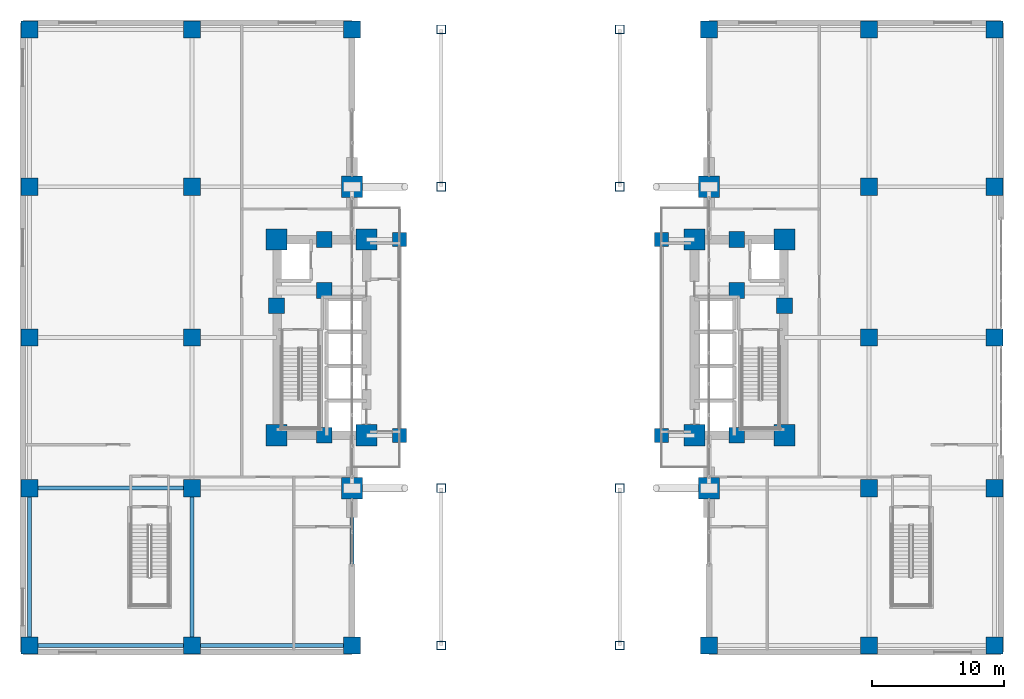
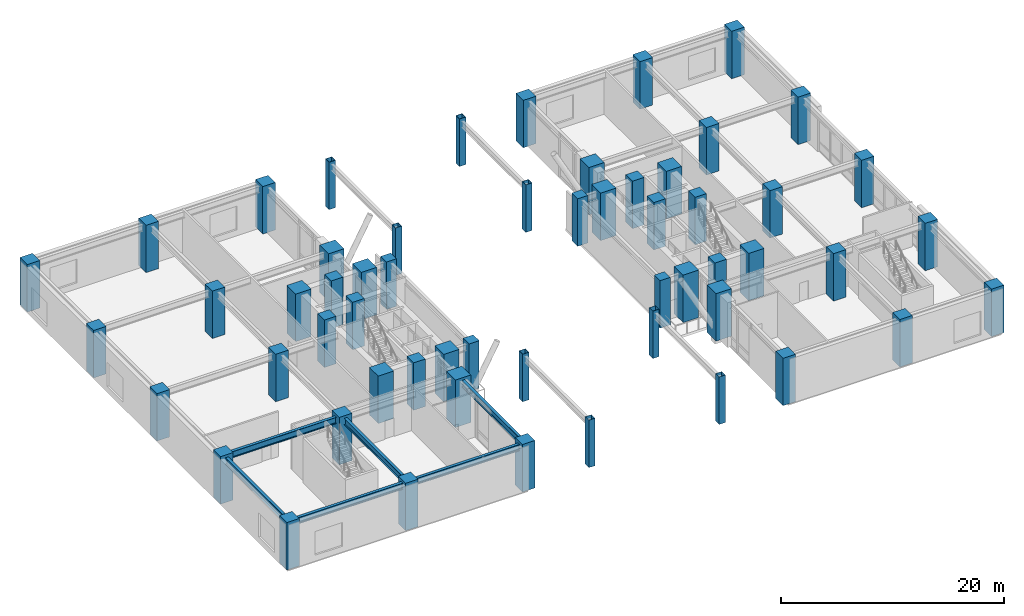
# One storey, part 1 of 27: 56 columns, 6 beams.
"""IFC4 building model written with IfcOpenShell, lengths in metres."""

from ifc_helpers import new_model, si_unit, direction, frame, origin, origin_2d, place, context, subcontext, project, spatial, rectangle, hollow_rectangle, i_section, extrude, material, material_profile, profile_set, type_object, element, save


model = new_model("IFC4")

# Units and contexts
model_context = context("Model", 3, precision=1e-05, world=origin(), true_north=direction((0.0, 1.0)))
body_context = subcontext(model_context, "Body", "Model", "MODEL_VIEW")
ifc_project = project(units=[si_unit("LENGTHUNIT", "METRE"), si_unit("AREAUNIT", "SQUARE_METRE"), si_unit("VOLUMEUNIT", "CUBIC_METRE"), si_unit("PLANEANGLEUNIT", "RADIAN"), si_unit("MASSUNIT", "GRAM", prefix="KILO")], contexts=[model_context])

# Site, building, storey
site_placement = place(None, origin())
site = spatial("IfcSite", under=ifc_project, at=site_placement, CompositionType="ELEMENT")
building_placement = place(site_placement, origin())
building = spatial("IfcBuilding", under=site, at=building_placement, Name="Voryun Gate Residences", CompositionType="ELEMENT")
storey_placement = place(building_placement, frame((0.0, 0.0, 5.199951171875)))
storey = spatial("IfcBuildingStorey", under=building, at=storey_placement, Name="L01", CompositionType="ELEMENT", Elevation=5.199951171875)

# Columns
ifc_material_1 = material(Name="Steel SM420", Category="steel")
ifc_material_profile_1 = material_profile(ifc_material_1, hollow_rectangle(XDim=0.64990234375, YDim=0.64990234375, WallThickness=0.028076171875, at=origin_2d()), Name="BOX-650x650x28")
ifc_profile_set_1 = profile_set([ifc_material_profile_1], Name="Steel SM420")
column_type_1 = type_object("IfcColumnType", Name="COL_ARCH_SPANDREL", PredefinedType="COLUMN", material=ifc_profile_set_1)
for number, where, z_axis, x_axis, name in (
    (1, (-6.75, -23.300048828125, 0.0), (0.0, 0.0, 1.0), (1.0, 0.0, 0.0), "L01 Gate Portal Column (-6.75,-23.3)"),
    (2, (-6.75, -11.39990234375, 0.0), (0.0, 0.0, 1.0), (1.0, 0.0, 0.0), "L01 Gate Portal Column (-6.75,-11.4)"),
    (3, (-6.75, 11.39990234375, 0.0), (0.0, 0.0, 1.0), (1.0, 0.0, 0.0), "L01 Gate Portal Column (-6.75,+11.4)"),
    (4, (-6.75, 23.300048828125, 0.0), (0.0, 0.0, 1.0), (1.0, 0.0, 0.0), "L01 Gate Portal Column (-6.75,+23.3)"),
    (5, (6.75, -23.300048828125, 0.0), (0.0, 0.0, 1.0), (1.0, 0.0, 0.0), "L01 Gate Portal Column (+6.75,-23.3)"),
    (6, (6.75, -11.39990234375, 0.0), (0.0, 0.0, 1.0), (1.0, 0.0, 0.0), "L01 Gate Portal Column (+6.75,-11.4)"),
    (7, (6.75, 11.39990234375, 0.0), (0.0, 0.0, 1.0), (1.0, 0.0, 0.0), "L01 Gate Portal Column (+6.75,+11.4)"),
    (8, (6.75, 23.300048828125, 0.0), (0.0, 0.0, 1.0), (1.0, 0.0, 0.0), "L01 Gate Portal Column (+6.75,+23.3)"),
):
    element("IfcColumn", number, at=place(storey_placement, frame(where, z_axis=z_axis, x_axis=x_axis)), inside=storey, type_object=column_type_1, Name=name, PredefinedType="COLUMN", context=body_context, shape_type="SweptSolid", body=[
        extrude(hollow_rectangle(XDim=0.64990234375, YDim=0.64990234375, WallThickness=0.028076171875, at=origin_2d()), origin(), (0.0, 0.0, 1.0), 5.199951171875),
    ])
ifc_material_2 = material(Name="Concrete C50/60", Category="concrete")
ifc_material_profile_2 = material_profile(ifc_material_2, rectangle(XDim=1.050048828125, YDim=1.050048828125, at=origin_2d()), Name="RC-1050x1050")
ifc_profile_set_2 = profile_set([ifc_material_profile_2], Name="Concrete C50/60")
column_type_2 = type_object("IfcColumnType", Name="COL_CORE_1050", PredefinedType="COLUMN", material=ifc_profile_set_2)
for number, where, z_axis, x_axis, name in (
    (9, (-9.89990234375, -7.39990234375, 0.0), (0.0, 0.0, 1.0), (1.0, 0.0, 0.0), "L01 Core collar column CLR-WS"),
    (10, (-9.89990234375, 7.39990234375, 0.0), (0.0, 0.0, 1.0), (1.0, 0.0, 0.0), "L01 Core collar column CLR-WN"),
    (11, (9.89990234375, -7.39990234375, 0.0), (0.0, 0.0, 1.0), (1.0, 0.0, 0.0), "L01 Core collar column CLR-ES"),
    (12, (9.89990234375, 7.39990234375, 0.0), (0.0, 0.0, 1.0), (1.0, 0.0, 0.0), "L01 Core collar column CLR-EN"),
):
    element("IfcColumn", number, at=place(storey_placement, frame(where, z_axis=z_axis, x_axis=x_axis)), inside=storey, type_object=column_type_2, Name=name, PredefinedType="COLUMN", context=body_context, shape_type="SweptSolid", body=[
        extrude(rectangle(XDim=1.050048828125, YDim=1.050048828125, at=origin_2d()), origin(), (0.0, 0.0, 1.0), 5.199951171875),
    ])
ifc_material_3 = material(Name="Concrete C60/75", Category="concrete")
ifc_material_profile_3 = material_profile(ifc_material_3, rectangle(XDim=1.199951171875, YDim=1.199951171875, at=origin_2d()), Name="RC-1200x1200")
ifc_profile_set_3 = profile_set([ifc_material_profile_3], Name="Concrete C60/75")
column_type_3 = type_object("IfcColumnType", Name="COL_CORE_1200", PredefinedType="COLUMN", material=ifc_profile_set_3)
for number, where, z_axis, x_axis, name in (
    (13, (-19.199951171875, 2.39990234375, 0.0), (0.0, 0.0, 1.0), (1.0, 0.0, 0.0), "L01 Core boundary column WC-MW"),
    (14, (-15.60009765625, -7.39990234375, 0.0), (0.0, 0.0, 1.0), (1.0, 0.0, 0.0), "L01 Core boundary column WC-SM"),
    (15, (-15.60009765625, 7.39990234375, 0.0), (0.0, 0.0, 1.0), (1.0, 0.0, 0.0), "L01 Core boundary column WC-NM"),
    (16, (-15.60009765625, 3.550048828125, 0.0), (0.0, 0.0, 1.0), (1.0, 0.0, 0.0), "L01 Core boundary column WC-MM"),
    (17, (15.60009765625, 3.550048828125, 0.0), (0.0, 0.0, 1.0), (1.0, 0.0, 0.0), "L01 Core boundary column EC-MM"),
    (18, (15.60009765625, -7.39990234375, 0.0), (0.0, 0.0, 1.0), (1.0, 0.0, 0.0), "L01 Core boundary column EC-SM"),
    (19, (15.60009765625, 7.39990234375, 0.0), (0.0, 0.0, 1.0), (1.0, 0.0, 0.0), "L01 Core boundary column EC-NM"),
    (20, (19.199951171875, 2.39990234375, 0.0), (0.0, 0.0, 1.0), (1.0, 0.0, 0.0), "L01 Core boundary column EC-ME"),
):
    element("IfcColumn", number, at=place(storey_placement, frame(where, z_axis=z_axis, x_axis=x_axis)), inside=storey, type_object=column_type_3, Name=name, PredefinedType="COLUMN", context=body_context, shape_type="SweptSolid", body=[
        extrude(rectangle(XDim=1.199951171875, YDim=1.199951171875, at=origin_2d()), origin(), (0.0, 0.0, 1.0), 5.199951171875),
    ])
ifc_material_4 = material(Name="Concrete C60/75", Category="concrete")
ifc_material_profile_4 = material_profile(ifc_material_4, rectangle(XDim=1.300048828125, YDim=1.300048828125, at=origin_2d()), Name="RC-1300x1300")
ifc_profile_set_4 = profile_set([ifc_material_profile_4], Name="Concrete C60/75")
column_type_4 = type_object("IfcColumnType", Name="COL_MEGA_1300", PredefinedType="COLUMN", material=ifc_profile_set_4)
for number, where, z_axis, x_axis, name in (
    (21, (-37.89990234375, -23.300048828125, 0.0), (0.0, 0.0, 1.0), (1.0, 0.0, 0.0), "L01 Podium pier column W11"),
    (22, (-37.89990234375, -11.39990234375, 0.0), (0.0, 0.0, 1.0), (1.0, 0.0, 0.0), "L01 Podium pier column W12"),
    (23, (-37.89990234375, 0.0, 0.0), (0.0, 0.0, 1.0), (1.0, 0.0, 0.0), "L01 Podium pier column W13"),
    (24, (-37.89990234375, 11.39990234375, 0.0), (0.0, 0.0, 1.0), (1.0, 0.0, 0.0), "L01 Podium pier column W14"),
    (25, (-37.89990234375, 23.300048828125, 0.0), (0.0, 0.0, 1.0), (1.0, 0.0, 0.0), "L01 Podium pier column W15"),
    (26, (-25.60009765625, -23.300048828125, 0.0), (0.0, 0.0, 1.0), (1.0, 0.0, 0.0), "L01 Podium pier column W21"),
    (27, (-25.60009765625, -11.39990234375, 0.0), (0.0, 0.0, 1.0), (1.0, 0.0, 0.0), "L01 Podium pier column W22"),
    (28, (-25.60009765625, 0.0, 0.0), (0.0, 0.0, 1.0), (1.0, 0.0, 0.0), "L01 Podium pier column W23"),
    (29, (-25.60009765625, 11.39990234375, 0.0), (0.0, 0.0, 1.0), (1.0, 0.0, 0.0), "L01 Podium pier column W24"),
    (30, (-25.60009765625, 23.300048828125, 0.0), (0.0, 0.0, 1.0), (1.0, 0.0, 0.0), "L01 Podium pier column W25"),
    (31, (-13.5, -23.300048828125, 0.0), (0.0, 0.0, 1.0), (1.0, 0.0, 0.0), "L01 Podium pier column W31"),
    (32, (-13.5, 23.300048828125, 0.0), (0.0, 0.0, 1.0), (1.0, 0.0, 0.0), "L01 Podium pier column W35"),
    (33, (13.5, -23.300048828125, 0.0), (0.0, 0.0, 1.0), (1.0, 0.0, 0.0), "L01 Podium pier column E11"),
    (34, (13.5, 23.300048828125, 0.0), (0.0, 0.0, 1.0), (1.0, 0.0, 0.0), "L01 Podium pier column E15"),
    (35, (25.60009765625, -23.300048828125, 0.0), (0.0, 0.0, 1.0), (1.0, 0.0, 0.0), "L01 Podium pier column E21"),
    (36, (25.60009765625, -11.39990234375, 0.0), (0.0, 0.0, 1.0), (1.0, 0.0, 0.0), "L01 Podium pier column E22"),
    (37, (25.60009765625, 0.0, 0.0), (0.0, 0.0, 1.0), (1.0, 0.0, 0.0), "L01 Podium pier column E23"),
    (38, (25.60009765625, 11.39990234375, 0.0), (0.0, 0.0, 1.0), (1.0, 0.0, 0.0), "L01 Podium pier column E24"),
    (39, (25.60009765625, 23.300048828125, 0.0), (0.0, 0.0, 1.0), (1.0, 0.0, 0.0), "L01 Podium pier column E25"),
    (40, (35.10009765625, -23.300048828125, 0.0), (0.0, 0.0, 1.0), (1.0, 0.0, 0.0), "L01 Podium pier column E31"),
    (41, (35.10009765625, -11.39990234375, 0.0), (0.0, 0.0, 1.0), (1.0, 0.0, 0.0), "L01 Podium pier column E32"),
    (42, (35.10009765625, 0.0, 0.0), (0.0, 0.0, 1.0), (1.0, 0.0, 0.0), "L01 Podium pier column E33"),
    (43, (35.10009765625, 11.39990234375, 0.0), (0.0, 0.0, 1.0), (1.0, 0.0, 0.0), "L01 Podium pier column E34"),
    (44, (35.10009765625, 23.300048828125, 0.0), (0.0, 0.0, 1.0), (1.0, 0.0, 0.0), "L01 Podium pier column E35"),
):
    element("IfcColumn", number, at=place(storey_placement, frame(where, z_axis=z_axis, x_axis=x_axis)), inside=storey, type_object=column_type_4, Name=name, PredefinedType="COLUMN", context=body_context, shape_type="SweptSolid", body=[
        extrude(rectangle(XDim=1.300048828125, YDim=1.300048828125, at=origin_2d()), origin(), (0.0, 0.0, 1.0), 5.199951171875),
    ])
ifc_material_5 = material(Name="Concrete C60/75", Category="concrete")
ifc_material_profile_5 = material_profile(ifc_material_5, rectangle(XDim=1.60009765625, YDim=1.60009765625, at=origin_2d()), Name="RC-1600x1600")
ifc_profile_set_5 = profile_set([ifc_material_profile_5], Name="Concrete C60/75")
column_type_5 = type_object("IfcColumnType", Name="COL_MEGA_1600", PredefinedType="COLUMN", material=ifc_profile_set_5)
for number, where, z_axis, x_axis, name in (
    (45, (-19.199951171875, -7.39990234375, 0.0), (0.0, 0.0, 1.0), (1.0, 0.0, 0.0), "L01 Core boundary column WC-SW"),
    (46, (-19.199951171875, 7.39990234375, 0.0), (0.0, 0.0, 1.0), (1.0, 0.0, 0.0), "L01 Core boundary column WC-NW"),
    (47, (-12.39990234375, -7.39990234375, 0.0), (0.0, 0.0, 1.0), (1.0, 0.0, 0.0), "L01 Core boundary column WC-SE"),
    (48, (-12.39990234375, 7.39990234375, 0.0), (0.0, 0.0, 1.0), (1.0, 0.0, 0.0), "L01 Core boundary column WC-NE"),
    (49, (12.39990234375, -7.39990234375, 0.0), (0.0, 0.0, 1.0), (1.0, 0.0, 0.0), "L01 Core boundary column EC-SW"),
    (50, (12.39990234375, 7.39990234375, 0.0), (0.0, 0.0, 1.0), (1.0, 0.0, 0.0), "L01 Core boundary column EC-NW"),
    (51, (19.199951171875, -7.39990234375, 0.0), (0.0, 0.0, 1.0), (1.0, 0.0, 0.0), "L01 Core boundary column EC-SE"),
    (52, (19.199951171875, 7.39990234375, 0.0), (0.0, 0.0, 1.0), (1.0, 0.0, 0.0), "L01 Core boundary column EC-NE"),
    (53, (-13.5, -11.39990234375, 0.0), (0.0, 0.0, 1.0), (1.0, 0.0, 0.0), "L01 Podium pier column W32"),
    (54, (-13.5, 11.39990234375, 0.0), (0.0, 0.0, 1.0), (1.0, 0.0, 0.0), "L01 Podium pier column W34"),
    (55, (13.5, -11.39990234375, 0.0), (0.0, 0.0, 1.0), (1.0, 0.0, 0.0), "L01 Podium pier column E12"),
    (56, (13.5, 11.39990234375, 0.0), (0.0, 0.0, 1.0), (1.0, 0.0, 0.0), "L01 Podium pier column E14"),
):
    element("IfcColumn", number, at=place(storey_placement, frame(where, z_axis=z_axis, x_axis=x_axis)), inside=storey, type_object=column_type_5, Name=name, PredefinedType="COLUMN", context=body_context, shape_type="SweptSolid", body=[
        extrude(rectangle(XDim=1.60009765625, YDim=1.60009765625, at=origin_2d()), origin(), (0.0, 0.0, 1.0), 5.199951171875),
    ])

# Beams
ifc_material_6 = material(Name="Steel SM355", Category="steel")
ifc_material_profile_6 = material_profile(ifc_material_6, i_section(OverallWidth=0.300048828125, OverallDepth=0.699951171875, WebThickness=0.012939453125, FlangeThickness=0.02392578125, FilletRadius=0.01806640625, at=origin_2d()), Name="H-700x300x13x24")
ifc_profile_set_6 = profile_set([ifc_material_profile_6], Name="Steel SM355")
beam_type = type_object("IfcBeamType", Name="BM_GIRD_700", PredefinedType="USERDEFINED", material=ifc_profile_set_6)
beam_1_placement = place(storey_placement, frame((-37.89990234375, -23.300048828125, 4.570068359375), z_axis=(1.0, 0.0, 0.0), x_axis=(0.0, 1.0, 0.0)))
element("IfcBeam", 57, at=beam_1_placement, inside=storey, type_object=beam_type, Name="BM-L01-PWX--23.3-0", ObjectType="GIRDER", PredefinedType="USERDEFINED", context=body_context, shape_type="SweptSolid", body=[
    extrude(i_section(OverallWidth=0.300048828125, OverallDepth=0.699951171875, WebThickness=0.012939453125, FlangeThickness=0.02392578125, FilletRadius=0.01806640625, at=origin_2d()), origin(), (0.0, 0.0, 1.0), 12.2998046875),
])
beam_2_placement = place(storey_placement, frame((-25.60009765625, -23.300048828125, 4.570068359375), z_axis=(1.0, 0.0, 0.0), x_axis=(0.0, 1.0, 0.0)))
element("IfcBeam", 58, at=beam_2_placement, inside=storey, type_object=beam_type, Name="BM-L01-PWX--23.3-1", ObjectType="GIRDER", PredefinedType="USERDEFINED", context=body_context, shape_type="SweptSolid", body=[
    extrude(i_section(OverallWidth=0.300048828125, OverallDepth=0.699951171875, WebThickness=0.012939453125, FlangeThickness=0.02392578125, FilletRadius=0.01806640625, at=origin_2d()), origin(), (0.0, 0.0, 1.0), 12.10009765625),
])
beam_3_placement = place(storey_placement, frame((-37.89990234375, -11.39990234375, 4.570068359375), z_axis=(1.0, 0.0, 0.0), x_axis=(0.0, 1.0, 0.0)))
element("IfcBeam", 59, at=beam_3_placement, inside=storey, type_object=beam_type, Name="BM-L01-PWX--11.4-0", ObjectType="GIRDER", PredefinedType="USERDEFINED", context=body_context, shape_type="SweptSolid", body=[
    extrude(i_section(OverallWidth=0.300048828125, OverallDepth=0.699951171875, WebThickness=0.012939453125, FlangeThickness=0.02392578125, FilletRadius=0.01806640625, at=origin_2d()), origin(), (0.0, 0.0, 1.0), 12.2998046875),
])
for number, where, z_axis, x_axis, name in (
    (60, (-37.89990234375, -23.300048828125, 4.570068359375), (0.0, 1.0, 0.0), (-1.0, 0.0, 0.0), "BM-L01-PWY--37.9-0"),
    (61, (-25.60009765625, -23.300048828125, 4.570068359375), (0.0, 1.0, 0.0), (-1.0, 0.0, 0.0), "BM-L01-PWY--25.6-0"),
    (62, (-13.5, -23.300048828125, 4.570068359375), (0.0, 1.0, 0.0), (-1.0, 0.0, 0.0), "BM-L01-PWYA--23.3"),
):
    element("IfcBeam", number, at=place(storey_placement, frame(where, z_axis=z_axis, x_axis=x_axis)), inside=storey, type_object=beam_type, Name=name, ObjectType="GIRDER", PredefinedType="USERDEFINED", context=body_context, shape_type="SweptSolid", body=[
        extrude(i_section(OverallWidth=0.300048828125, OverallDepth=0.699951171875, WebThickness=0.012939453125, FlangeThickness=0.02392578125, FilletRadius=0.01806640625, at=origin_2d()), origin(), (0.0, 0.0, 1.0), 11.900146484375),
    ])

save(model, "model.ifc")
